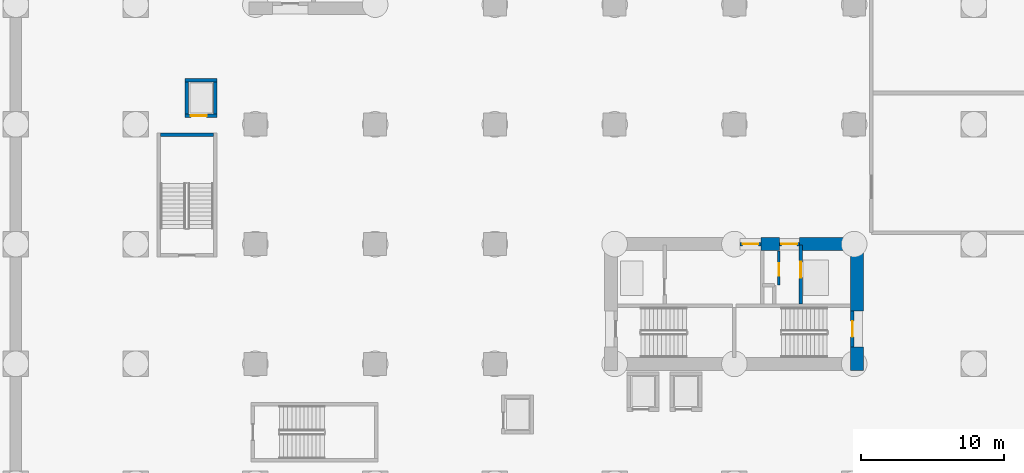
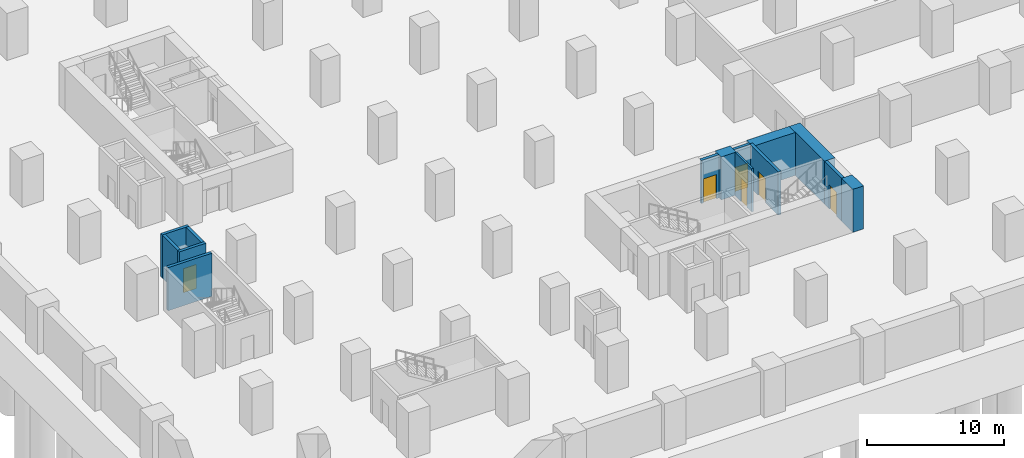
# One storey, part 5 of 12: 14 walls, 6 doors, 6 openings.
"""IFC4 building model written with IfcOpenShell, lengths in metres."""

from ifc_helpers import new_model, si_unit, direction, frame, frame_2d, origin, place, context, subcontext, project, spatial, rectangle, extrude, material, layer, layer_set, type_object, element, fill, save


model = new_model("IFC4")

# Units and contexts
model_context = context("Model", 3, precision=1e-05, world=origin(), true_north=direction((0.0, 1.0)))
body_context = subcontext(model_context, "Body", "Model", "MODEL_VIEW")
ifc_project = project(units=[si_unit("LENGTHUNIT", "METRE"), si_unit("AREAUNIT", "SQUARE_METRE"), si_unit("VOLUMEUNIT", "CUBIC_METRE"), si_unit("PLANEANGLEUNIT", "RADIAN"), si_unit("MASSUNIT", "GRAM", prefix="KILO")], contexts=[model_context])

# Site, building, storey
site_placement = place(None, origin())
site = spatial("IfcSite", under=ifc_project, at=site_placement, CompositionType="ELEMENT")
building_placement = place(site_placement, origin())
building = spatial("IfcBuilding", under=site, at=building_placement, Name="Koriwani Terraces Tower", CompositionType="ELEMENT")
storey_placement = place(building_placement, frame((0.0, 0.0, -8.39990234375)))
storey = spatial("IfcBuildingStorey", under=building, at=storey_placement, Name="B02", CompositionType="ELEMENT", Elevation=-8.39990234375)

# Walls
ifc_material_1 = material(Name="Concrete C60/75", Category="concrete")
ifc_layer_1 = layer(ifc_material_1, 0.89990234375, Name="Concrete C60/75")
ifc_layer_set_1 = layer_set([ifc_layer_1], Name="Concrete C60/75")
wall_type_1 = type_object("IfcWallType", Name="WALL_CORE_RC_900", PredefinedType="SHEAR", material=ifc_layer_set_1)
wall_1_placement = place(storey_placement, frame((59.0, 16.35009765625, 0.0), z_axis=(0.0, 0.0, 1.0), x_axis=(0.0, 1.0, 0.0)))
element("IfcWall", 1, at=wall_1_placement, inside=storey, type_object=wall_type_1, Name="B02 East Split Core Shear Wall E1", PredefinedType="SHEAR", context=body_context, shape_type="SweptSolid", body=[
    extrude(rectangle(XDim=1.64990234375, YDim=0.89990234375, at=frame_2d((0.824951171875, 0.0))), origin(), (0.0, 0.0, 1.0), 3.849853515625),
])
wall_2_placement = place(storey_placement, frame((59.0, 20.5, 0.0), z_axis=(0.0, 0.0, 1.0), x_axis=(0.0, 1.0, 0.0)))
element("IfcWall", 2, at=wall_2_placement, inside=storey, type_object=wall_type_1, Name="B02 East Split Core Shear Wall E2", PredefinedType="SHEAR", context=body_context, shape_type="SweptSolid", body=[
    extrude(rectangle(XDim=5.14990234375, YDim=0.89990234375, at=frame_2d((2.574951171875, 0.0))), origin(), (0.0, 0.0, 1.0), 3.849853515625),
])
wall_3_placement = place(storey_placement, frame((52.280029296875, 25.199951171875, 0.0), z_axis=(0.0, 0.0, 1.0), x_axis=(1.0, 0.0, 0.0)))
element("IfcWall", 3, at=wall_3_placement, inside=storey, type_object=wall_type_1, Name="B02 East Split Core Shear Wall N2", PredefinedType="SHEAR", context=body_context, shape_type="SweptSolid", body=[
    extrude(rectangle(XDim=1.27001953125, YDim=0.89990234375, at=frame_2d((0.635009765625, 0.0))), origin(), (0.0, 0.0, 1.0), 3.849853515625),
])
wall_4_placement = place(storey_placement, frame((54.949951171875, 25.199951171875, 0.0), z_axis=(0.0, 0.0, 1.0), x_axis=(1.0, 0.0, 0.0)))
element("IfcWall", 4, at=wall_4_placement, inside=storey, type_object=wall_type_1, Name="B02 East Split Core Shear Wall N3", PredefinedType="SHEAR", context=body_context, shape_type="SweptSolid", body=[
    extrude(rectangle(XDim=3.60009765625, YDim=0.89990234375, at=frame_2d((1.800048828125, 0.0))), origin(), (0.0, 0.0, 1.0), 3.849853515625),
])
ifc_material_2 = material(Name="Concrete C40/50", Category="concrete")
ifc_layer_2 = layer(ifc_material_2, 0.25, Name="Concrete C40/50")
ifc_layer_set_2 = layer_set([ifc_layer_2], Name="Concrete C40/50")
wall_type_2 = type_object("IfcWallType", Name="WALL_SHAFT_RATED_250", PredefinedType="SOLIDWALL", material=ifc_layer_set_2)
wall_5_placement = place(storey_placement, frame((10.14990234375, 32.875, 0.0), z_axis=(0.0, 0.0, 1.0), x_axis=(1.0, 0.0, 0.0)))
element("IfcWall", 5, at=wall_5_placement, inside=storey, type_object=wall_type_2, Name="B02 Podium Stair ST-P1 North Bearing Wall", PredefinedType="SOLIDWALL", context=body_context, shape_type="SweptSolid", body=[
    extrude(rectangle(XDim=3.7001953125, YDim=0.25, at=frame_2d((1.85009765625, 0.0))), origin(), (0.0, 0.0, 1.0), 3.849853515625),
])

# Wall, opening, door
wall_6_placement = place(storey_placement, frame((58.675048828125, 18.0, 0.0), z_axis=(0.0, 0.0, 1.0), x_axis=(0.0, 1.0, 0.0)))
wall_6 = element("IfcWall", 6, at=wall_6_placement, inside=storey, type_object=wall_type_2, Name="B02 Interior Wall WIN-CE-B02-STE", PredefinedType="SOLIDWALL", context=body_context, shape_type="SweptSolid", body=[
    extrude(rectangle(XDim=2.5, YDim=0.25, at=frame_2d((1.25, 0.0))), origin(), (0.0, 0.0, 1.0), 3.849853515625),
])
opening_1_placement = place(wall_6_placement, frame((0.699951171875, 0.0, 0.0)))
opening_1 = element("IfcOpeningElement", 7, at=opening_1_placement, cuts=wall_6, Name="Opening D-03", PredefinedType="OPENING", context=body_context, shape_type="SweptSolid", body=[
    extrude(rectangle(XDim=1.10009765625, YDim=2.14990234375, at=frame_2d((0.550048828125, 1.074951171875))), frame((0.0, 0.135009765625, 0.0), z_axis=(0.0, -1.0, 0.0), x_axis=(1.0, 0.0, 0.0)), (0.0, 0.0, 1.0), 0.27001953125),
])
ifc_material_3 = material(Name="Steel ASTM A572 Grade 50", Category="steel")
door_type_1 = type_object("IfcDoorType", Name="DOOR_STAIR_FIRE_1100X2150", OperationType="NOTDEFINED", PredefinedType="DOOR", material=ifc_material_3)
door_1_placement = place(opening_1_placement, origin())
door_1 = element("IfcDoor", 8, at=door_1_placement, inside=storey, type_object=door_type_1, Name="B02 Exit Stair ST-E2 Door", OperationType="SINGLE_SWING_RIGHT", OverallHeight=2.14990234375, OverallWidth=1.10009765625, PredefinedType="DOOR", context=body_context, shape_type="SweptSolid", body=[
    extrude(rectangle(XDim=1.10009765625, YDim=2.14990234375, at=frame_2d((0.550048828125, 1.074951171875))), frame((0.0, 0.02490234375, 0.0), z_axis=(0.0, -1.0, 0.0), x_axis=(1.0, 0.0, 0.0)), (0.0, 0.0, 1.0), 0.050048828125),
])
fill(opening_1, door_1)

wall_7_placement = place(storey_placement, frame((50.800048828125, 25.199951171875, 0.0), z_axis=(0.0, 0.0, 1.0), x_axis=(1.0, 0.0, 0.0)))
wall_7 = element("IfcWall", 9, at=wall_7_placement, inside=storey, type_object=wall_type_2, Name="B02 Interior Wall WIN-CE-B02-NP", PredefinedType="SOLIDWALL", context=body_context, shape_type="SweptSolid", body=[
    extrude(rectangle(XDim=1.47998046875, YDim=0.25, at=frame_2d((0.739990234375, 0.0))), origin(), (0.0, 0.0, 1.0), 3.849853515625),
])
opening_2_placement = place(wall_7_placement, frame((0.179931640625, 0.0, 0.0)))
opening_2 = element("IfcOpeningElement", 10, at=opening_2_placement, cuts=wall_7, Name="Opening D-03", PredefinedType="OPENING", context=body_context, shape_type="SweptSolid", body=[
    extrude(rectangle(XDim=1.10009765625, YDim=2.14990234375, at=frame_2d((0.550048828125, 1.074951171875))), frame((0.0, 0.135009765625, 0.0), z_axis=(0.0, -1.0, 0.0), x_axis=(1.0, 0.0, 0.0)), (0.0, 0.0, 1.0), 0.27001953125),
])
door_2_placement = place(opening_2_placement, origin())
door_2 = element("IfcDoor", 11, at=door_2_placement, inside=storey, type_object=door_type_1, Name="B02 East Firefighting Lobby Door", OperationType="SINGLE_SWING_LEFT", OverallHeight=2.14990234375, OverallWidth=1.10009765625, PredefinedType="DOOR", context=body_context, shape_type="SweptSolid", body=[
    extrude(rectangle(XDim=1.10009765625, YDim=2.14990234375, at=frame_2d((0.550048828125, 1.074951171875))), frame((0.0, 0.02490234375, 0.0), z_axis=(0.0, -1.0, 0.0), x_axis=(1.0, 0.0, 0.0)), (0.0, 0.0, 1.0), 0.050048828125),
])
fill(opening_2, door_2)

wall_8_placement = place(storey_placement, frame((55.050048828125, 21.0, 0.0), z_axis=(0.0, 0.0, 1.0), x_axis=(0.0, 1.0, 0.0)))
wall_8 = element("IfcWall", 12, at=wall_8_placement, inside=storey, type_object=wall_type_2, Name="B02 Interior Wall WIN-CE-B02-SE", PredefinedType="SOLIDWALL", context=body_context, shape_type="SweptSolid", body=[
    extrude(rectangle(XDim=4.14990234375, YDim=0.25, at=frame_2d((2.074951171875, 0.0))), origin(), (0.0, 0.0, 1.0), 3.849853515625),
])
opening_3_placement = place(wall_8_placement, frame((1.85009765625, 0.0, 0.0)))
opening_3 = element("IfcOpeningElement", 13, at=opening_3_placement, cuts=wall_8, Name="Opening LD-01", PredefinedType="OPENING", context=body_context, shape_type="SweptSolid", body=[
    extrude(rectangle(XDim=1.10009765625, YDim=2.14990234375, at=frame_2d((0.550048828125, 1.074951171875))), frame((0.0, 0.135009765625, 0.0), z_axis=(0.0, -1.0, 0.0), x_axis=(1.0, 0.0, 0.0)), (0.0, 0.0, 1.0), 0.27001953125),
])
door_type_2 = type_object("IfcDoorType", Name="DOOR_LIFT_LANDING_1100X2200", OperationType="NOTDEFINED", PredefinedType="DOOR", material=ifc_material_3)
door_3_placement = place(opening_3_placement, origin())
door_3 = element("IfcDoor", 14, at=door_3_placement, inside=storey, type_object=door_type_2, Name="B02 Goods Lift SE-02 Landing Door", OperationType="SLIDING_TO_LEFT", OverallHeight=2.14990234375, OverallWidth=1.10009765625, PredefinedType="DOOR", context=body_context, shape_type="SweptSolid", body=[
    extrude(rectangle(XDim=1.10009765625, YDim=2.14990234375, at=frame_2d((0.550048828125, 1.074951171875))), frame((0.0, 0.02490234375, 0.0), z_axis=(0.0, -1.0, 0.0), x_axis=(1.0, 0.0, 0.0)), (0.0, 0.0, 1.0), 0.050048828125),
])
fill(opening_3, door_3)

wall_9_placement = place(storey_placement, frame((53.550048828125, 25.199951171875, 0.0), z_axis=(0.0, 0.0, 1.0), x_axis=(1.0, 0.0, 0.0)))
wall_9 = element("IfcWall", 15, at=wall_9_placement, inside=storey, type_object=wall_type_2, Name="B02 Interior Wall WIN-CE-B02-NP2", PredefinedType="SOLIDWALL", context=body_context, shape_type="SweptSolid", body=[
    extrude(rectangle(XDim=1.39990234375, YDim=0.25, at=frame_2d((0.699951171875, 0.0))), origin(), (0.0, 0.0, 1.0), 3.849853515625),
])
opening_4_placement = place(wall_9_placement, frame((0.14990234375, 0.0, 0.0)))
opening_4 = element("IfcOpeningElement", 16, at=opening_4_placement, cuts=wall_9, Name="Opening D-03", PredefinedType="OPENING", context=body_context, shape_type="SweptSolid", body=[
    extrude(rectangle(XDim=1.10009765625, YDim=2.14990234375, at=frame_2d((0.550048828125, 1.074951171875))), frame((0.0, 0.135009765625, 0.0), z_axis=(0.0, -1.0, 0.0), x_axis=(1.0, 0.0, 0.0)), (0.0, 0.0, 1.0), 0.27001953125),
])
door_4_placement = place(opening_4_placement, origin())
door_4 = element("IfcDoor", 17, at=door_4_placement, inside=storey, type_object=door_type_1, Name="B02 East Goods Lift Lobby Door", OperationType="SINGLE_SWING_RIGHT", OverallHeight=2.14990234375, OverallWidth=1.10009765625, PredefinedType="DOOR", context=body_context, shape_type="SweptSolid", body=[
    extrude(rectangle(XDim=1.10009765625, YDim=2.14990234375, at=frame_2d((0.550048828125, 1.074951171875))), frame((0.0, 0.02490234375, 0.0), z_axis=(0.0, -1.0, 0.0), x_axis=(1.0, 0.0, 0.0)), (0.0, 0.0, 1.0), 0.050048828125),
])
fill(opening_4, door_4)

wall_10_placement = place(storey_placement, frame((11.875, 34.199951171875, 0.0), z_axis=(0.0, 0.0, 1.0), x_axis=(1.0, 0.0, 0.0)))
wall_10 = element("IfcWall", 18, at=wall_10_placement, inside=storey, type_object=wall_type_2, Name="B02 Interior Wall WIN-LF-PE-P1-B02-F", PredefinedType="SOLIDWALL", context=body_context, shape_type="SweptSolid", body=[
    extrude(rectangle(XDim=2.25, YDim=0.25, at=frame_2d((1.125, 0.0))), origin(), (0.0, 0.0, 1.0), 3.849853515625),
])
opening_5_placement = place(wall_10_placement, frame((0.39990234375, 0.0, 0.0)))
opening_5 = element("IfcOpeningElement", 19, at=opening_5_placement, cuts=wall_10, Name="Opening LD-01", PredefinedType="OPENING", context=body_context, shape_type="SweptSolid", body=[
    extrude(rectangle(XDim=1.10009765625, YDim=2.14990234375, at=frame_2d((0.550048828125, 1.074951171875))), frame((0.0, 0.135009765625, 0.0), z_axis=(0.0, -1.0, 0.0), x_axis=(1.0, 0.0, 0.0)), (0.0, 0.0, 1.0), 0.27001953125),
])
door_5_placement = place(opening_5_placement, origin())
door_5 = element("IfcDoor", 20, at=door_5_placement, inside=storey, type_object=door_type_2, Name="B02 Passenger Lift PE-P1 Landing Door", OperationType="SLIDING_TO_LEFT", OverallHeight=2.14990234375, OverallWidth=1.10009765625, PredefinedType="DOOR", context=body_context, shape_type="SweptSolid", body=[
    extrude(rectangle(XDim=1.10009765625, YDim=2.14990234375, at=frame_2d((0.550048828125, 1.074951171875))), frame((0.0, 0.02490234375, 0.0), z_axis=(0.0, -1.0, 0.0), x_axis=(1.0, 0.0, 0.0)), (0.0, 0.0, 1.0), 0.050048828125),
])
fill(opening_5, door_5)

# Walls
for number, where, z_axis, x_axis, name in (
    (21, (11.875, 36.699951171875, 0.0), (0.0, 0.0, 1.0), (1.0, 0.0, 0.0), "B02 Interior Wall WIN-LF-PE-P1-B02-B"),
    (22, (12.0, 34.324951171875, 0.0), (0.0, 0.0, 1.0), (0.0, 1.0, 0.0), "B02 Interior Wall WIN-LF-PE-P1-B02-W"),
    (23, (14.0, 34.324951171875, 0.0), (0.0, 0.0, 1.0), (0.0, 1.0, 0.0), "B02 Interior Wall WIN-LF-PE-P1-B02-E"),
):
    element("IfcWall", number, at=place(storey_placement, frame(where, z_axis=z_axis, x_axis=x_axis)), inside=storey, type_object=wall_type_2, Name=name, PredefinedType="SOLIDWALL", context=body_context, shape_type="SweptSolid", body=[
        extrude(rectangle(XDim=2.25, YDim=0.25, at=frame_2d((1.125, 0.0))), origin(), (0.0, 0.0, 1.0), 3.849853515625),
    ])

# Wall, opening, door
ifc_material_4 = material(Name="Fire-Rated Acoustic Gypsum Partition", Category="masonry")
ifc_layer_3 = layer(ifc_material_4, 0.159912109375, Name="Fire-Rated Acoustic Gypsum Partition")
ifc_layer_set_3 = layer_set([ifc_layer_3], Name="Fire-Rated Acoustic Gypsum Partition")
wall_type_3 = type_object("IfcWallType", Name="WALL_SUITE_160", PredefinedType="PARTITIONING", material=ifc_layer_set_3)
wall_11_placement = place(storey_placement, frame((53.52001953125, 22.320068359375, 0.0), z_axis=(0.0, 0.0, 1.0), x_axis=(0.0, 1.0, 0.0)))
wall_11 = element("IfcWall", 24, at=wall_11_placement, inside=storey, type_object=wall_type_3, Name="B02 Interior Wall WIN-CE-B02-SV0", PredefinedType="PARTITIONING", context=body_context, shape_type="SweptSolid", body=[
    extrude(rectangle(XDim=2.39990234375, YDim=0.159912109375, at=frame_2d((1.199951171875, 0.0))), origin(), (0.0, 0.0, 1.0), 3.849853515625),
])
opening_6_placement = place(wall_11_placement, frame((0.64990234375, 0.0, 0.0)))
opening_6 = element("IfcOpeningElement", 25, at=opening_6_placement, cuts=wall_11, Name="Opening D-07", PredefinedType="OPENING", context=body_context, shape_type="SweptSolid", body=[
    extrude(rectangle(XDim=0.89990234375, YDim=2.10009765625, at=frame_2d((0.449951171875, 1.050048828125))), frame((0.0, 0.08984375, 0.0), z_axis=(0.0, -1.0, 0.0), x_axis=(1.0, 0.0, 0.0)), (0.0, 0.0, 1.0), 0.179931640625),
])
ifc_material_5 = material(Name="Architectural Oak Fire Door", Category="wood")
door_type_3 = type_object("IfcDoorType", Name="DOOR_BATH_INT_900X2100", OperationType="NOTDEFINED", PredefinedType="DOOR", material=ifc_material_5)
door_6_placement = place(opening_6_placement, origin())
door_6 = element("IfcDoor", 26, at=door_6_placement, inside=storey, type_object=door_type_3, Name="B02 East Electrical Switch Room Door", OperationType="SINGLE_SWING_LEFT", OverallHeight=2.10009765625, OverallWidth=0.89990234375, PredefinedType="DOOR", context=body_context, shape_type="SweptSolid", body=[
    extrude(rectangle(XDim=0.89990234375, YDim=2.10009765625, at=frame_2d((0.449951171875, 1.050048828125))), frame((0.0, 0.02490234375, 0.0), z_axis=(0.0, -1.0, 0.0), x_axis=(1.0, 0.0, 0.0)), (0.0, 0.0, 1.0), 0.050048828125),
])
fill(opening_6, door_6)

save(model, "model.ifc")
